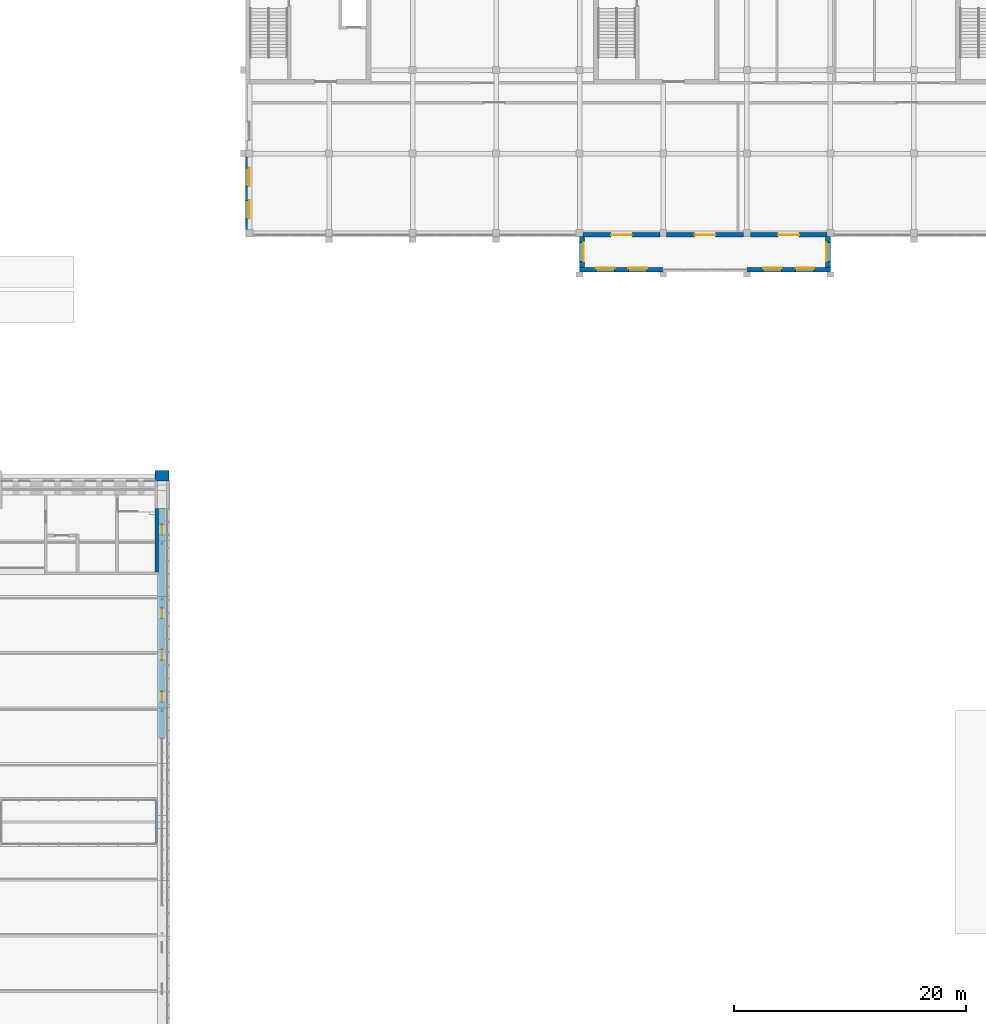
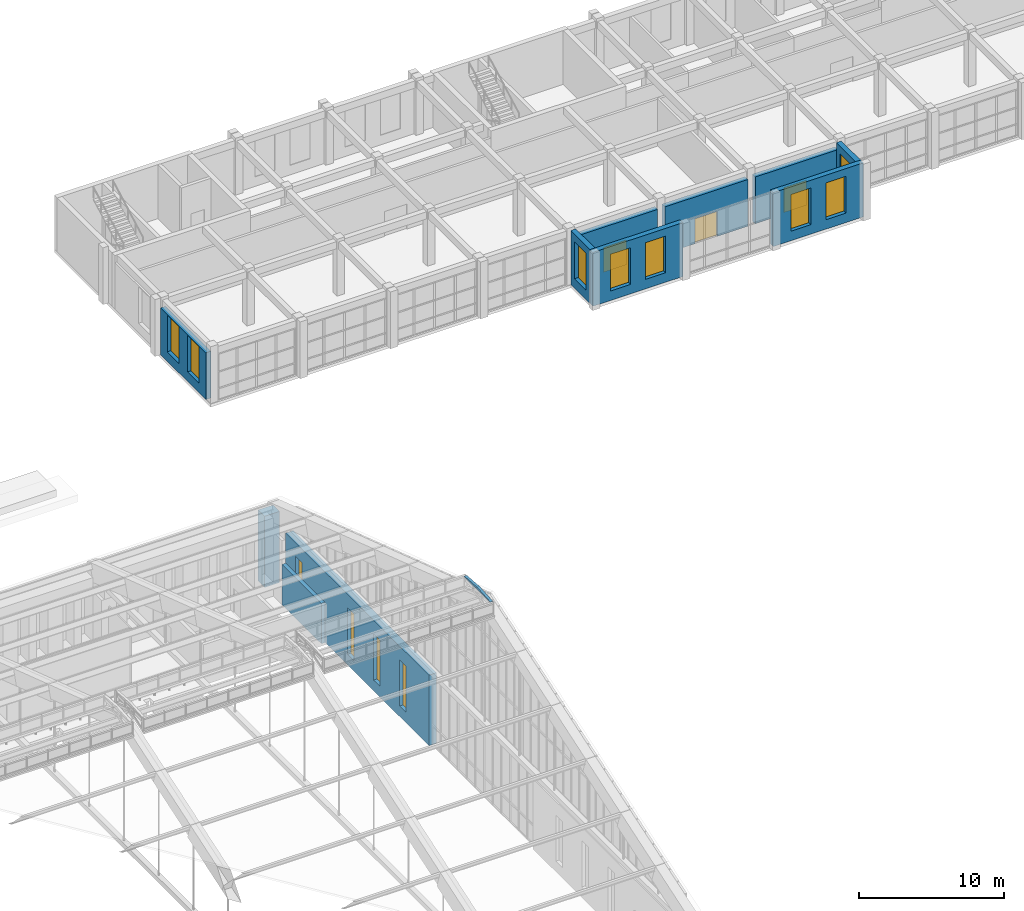
# One storey, part 140 of 149: 12 walls, 12 windows, 3 doors, 15 openings, 1 element without a shape of its own.
"""IFC4 building model written with IfcOpenShell, lengths in metres."""

from ifc_helpers import new_model, si_unit, direction, frame, frame_2d, origin, place, context, subcontext, project, spatial, polyline, rectangle, outline, extrude, material, layer, layer_set, type_object, element, fill, aggregate, save


model = new_model("IFC4")

# Units and contexts
model_context = context("Model", 3, precision=1e-05, world=origin(), true_north=direction((0.0, 1.0)))
body_context = subcontext(model_context, "Body", "Model", "MODEL_VIEW")
ifc_project = project(units=[si_unit("LENGTHUNIT", "METRE"), si_unit("AREAUNIT", "SQUARE_METRE"), si_unit("VOLUMEUNIT", "CUBIC_METRE"), si_unit("PLANEANGLEUNIT", "RADIAN"), si_unit("MASSUNIT", "GRAM", prefix="KILO")], contexts=[model_context])

# Site, building, storey
site_placement = place(None, origin())
site = spatial("IfcSite", under=ifc_project, at=site_placement, CompositionType="ELEMENT")
building_placement = place(site_placement, origin())
building = spatial("IfcBuilding", under=site, at=building_placement, Name="Alderwick Market Hall", CompositionType="ELEMENT")
storey_placement = place(building_placement, frame((0.0, 0.0, 9.60009765625)))
storey = spatial("IfcBuildingStorey", under=building, at=storey_placement, Name="L01", CompositionType="ELEMENT", Elevation=9.60009765625)

# Wall, opening, door
ifc_material_1 = material(Name="Face brick", Category="masonry")
ifc_layer_1 = layer(ifc_material_1, 0.39990234375)
ifc_layer_set_1 = layer_set([ifc_layer_1], Name="Face brick")
wall_type_1 = type_object("IfcWallType", Name="F Brick Pier Wall 400", PredefinedType="SOLIDWALL", material=ifc_layer_set_1)
wall_1_placement = place(storey_placement, frame((194.10009765625, 129.800048828125, 0.0), z_axis=(0.0, 0.0, 1.0), x_axis=(-1.0, 0.0, 0.0)))
wall_1 = element("IfcWall", 1, at=wall_1_placement, inside=storey, type_object=wall_type_1, Name="F.wall.L01.fac.front.05", PredefinedType="SOLIDWALL", context=body_context, shape_type="SweptSolid", body=[
    extrude(rectangle(XDim=6.60009765625, YDim=0.39990234375, at=frame_2d((3.300048828125, 0.0))), origin(), (0.0, 0.0, 1.0), 3.949951171875),
])
opening_1_placement = place(wall_1_placement, frame((2.39990234375, 0.0, 0.0)))
opening_1 = element("IfcOpeningElement", 2, at=opening_1_placement, cuts=wall_1, Name="Opening F-D008", PredefinedType="OPENING", context=body_context, shape_type="SweptSolid", body=[
    extrude(rectangle(XDim=1.800048828125, YDim=2.10009765625, at=frame_2d((0.89990234375, 1.050048828125))), frame((0.0, 0.2099609375, 0.0), z_axis=(0.0, -1.0, 0.0), x_axis=(1.0, 0.0, 0.0)), (0.0, 0.0, 1.0), 0.419921875),
])
ifc_material_2 = material(Name="Timber, solid core", Category="wood")
door_type = type_object("IfcDoorType", Name="F Door Pair 1800x2100", OperationType="NOTDEFINED", PredefinedType="DOOR", material=ifc_material_2)
door_1_placement = place(opening_1_placement, origin())
door_1 = element("IfcDoor", 3, at=door_1_placement, inside=storey, type_object=door_type, Name="F.door.L01.008", OperationType="NOTDEFINED", OverallHeight=2.10009765625, OverallWidth=1.800048828125, PredefinedType="DOOR", context=body_context, shape_type="SweptSolid", body=[
    extrude(rectangle(XDim=1.800048828125, YDim=2.10009765625, at=frame_2d((0.89990234375, 1.050048828125))), frame((0.0, 0.02490234375, 0.0), z_axis=(0.0, -1.0, 0.0), x_axis=(1.0, 0.0, 0.0)), (0.0, 0.0, 1.0), 0.050048828125),
])
fill(opening_1, door_1)

wall_2_placement = place(storey_placement, frame((201.300048828125, 129.800048828125, 0.0), z_axis=(0.0, 0.0, 1.0), x_axis=(-1.0, 0.0, 0.0)))
wall_2 = element("IfcWall", 4, at=wall_2_placement, inside=storey, type_object=wall_type_1, Name="F.wall.L01.fac.front.06", PredefinedType="SOLIDWALL", context=body_context, shape_type="SweptSolid", body=[
    extrude(rectangle(XDim=6.60009765625, YDim=0.39990234375, at=frame_2d((3.300048828125, 0.0))), origin(), (0.0, 0.0, 1.0), 3.949951171875),
])
opening_2_placement = place(wall_2_placement, frame((2.39990234375, 0.0, 0.0)))
opening_2 = element("IfcOpeningElement", 5, at=opening_2_placement, cuts=wall_2, Name="Opening F-D009", PredefinedType="OPENING", context=body_context, shape_type="SweptSolid", body=[
    extrude(rectangle(XDim=1.800048828125, YDim=2.10009765625, at=frame_2d((0.89990234375, 1.050048828125))), frame((0.0, 0.2099609375, 0.0), z_axis=(0.0, -1.0, 0.0), x_axis=(1.0, 0.0, 0.0)), (0.0, 0.0, 1.0), 0.419921875),
])
door_2_placement = place(opening_2_placement, origin())
door_2 = element("IfcDoor", 6, at=door_2_placement, inside=storey, type_object=door_type, Name="F.door.L01.009", OperationType="NOTDEFINED", OverallHeight=2.10009765625, OverallWidth=1.800048828125, PredefinedType="DOOR", context=body_context, shape_type="SweptSolid", body=[
    extrude(rectangle(XDim=1.800048828125, YDim=2.10009765625, at=frame_2d((0.89990234375, 1.050048828125))), frame((0.0, 0.02490234375, 0.0), z_axis=(0.0, -1.0, 0.0), x_axis=(1.0, 0.0, 0.0)), (0.0, 0.0, 1.0), 0.050048828125),
])
fill(opening_2, door_2)

wall_3_placement = place(storey_placement, frame((208.5, 129.800048828125, 0.0), z_axis=(0.0, 0.0, 1.0), x_axis=(-1.0, 0.0, 0.0)))
wall_3 = element("IfcWall", 7, at=wall_3_placement, inside=storey, type_object=wall_type_1, Name="F.wall.L01.fac.front.07", PredefinedType="SOLIDWALL", context=body_context, shape_type="SweptSolid", body=[
    extrude(rectangle(XDim=6.60009765625, YDim=0.39990234375, at=frame_2d((3.300048828125, 0.0))), origin(), (0.0, 0.0, 1.0), 3.949951171875),
])
opening_3_placement = place(wall_3_placement, frame((2.39990234375, 0.0, 0.0)))
opening_3 = element("IfcOpeningElement", 8, at=opening_3_placement, cuts=wall_3, Name="Opening F-D010", PredefinedType="OPENING", context=body_context, shape_type="SweptSolid", body=[
    extrude(rectangle(XDim=1.800048828125, YDim=2.10009765625, at=frame_2d((0.89990234375, 1.050048828125))), frame((0.0, 0.2099609375, 0.0), z_axis=(0.0, -1.0, 0.0), x_axis=(1.0, 0.0, 0.0)), (0.0, 0.0, 1.0), 0.419921875),
])
door_3_placement = place(opening_3_placement, origin())
door_3 = element("IfcDoor", 9, at=door_3_placement, inside=storey, type_object=door_type, Name="F.door.L01.010", OperationType="NOTDEFINED", OverallHeight=2.10009765625, OverallWidth=1.800048828125, PredefinedType="DOOR", context=body_context, shape_type="SweptSolid", body=[
    extrude(rectangle(XDim=1.800048828125, YDim=2.10009765625, at=frame_2d((0.89990234375, 1.050048828125))), frame((0.0, 0.02490234375, 0.0), z_axis=(0.0, -1.0, 0.0), x_axis=(1.0, 0.0, 0.0)), (0.0, 0.0, 1.0), 0.050048828125),
])
fill(opening_3, door_3)

# Wall, openings, windows
wall_4_placement = place(storey_placement, frame((194.39990234375, 126.800048828125, 0.0), z_axis=(0.0, 0.0, 1.0), x_axis=(-1.0, 0.0, 0.0)))
wall_4 = element("IfcWall", 10, at=wall_4_placement, inside=storey, type_object=wall_type_1, Name="F.wall.L01.pav1.front.01", PredefinedType="SOLIDWALL", context=body_context, shape_type="SweptSolid", body=[
    extrude(rectangle(XDim=7.199951171875, YDim=0.39990234375, at=frame_2d((3.60009765625, 0.0))), origin(), (0.0, 0.0, 1.0), 4.5498046875),
])
opening_4_placement = place(wall_4_placement, frame((1.39990234375, 0.0, 0.800048828125)))
opening_4 = element("IfcOpeningElement", 11, at=opening_4_placement, cuts=wall_4, Name="Opening F-W066", PredefinedType="OPENING", context=body_context, shape_type="SweptSolid", body=[
    extrude(rectangle(XDim=1.60009765625, YDim=3.10009765625, at=frame_2d((0.800048828125, 1.550048828125))), frame((0.0, 0.2099609375, 0.0), z_axis=(0.0, -1.0, 0.0), x_axis=(1.0, 0.0, 0.0)), (0.0, 0.0, 1.0), 0.419921875),
])
opening_5_placement = place(wall_4_placement, frame((4.199951171875, 0.0, 0.800048828125)))
opening_5 = element("IfcOpeningElement", 12, at=opening_5_placement, cuts=wall_4, Name="Opening F-W067", PredefinedType="OPENING", context=body_context, shape_type="SweptSolid", body=[
    extrude(rectangle(XDim=1.60009765625, YDim=3.10009765625, at=frame_2d((0.800048828125, 1.550048828125))), frame((0.0, 0.2099609375, 0.0), z_axis=(0.0, -1.0, 0.0), x_axis=(1.0, 0.0, 0.0)), (0.0, 0.0, 1.0), 0.419921875),
])
ifc_material_3 = material(Name="Aluminium frame, double glazing", Category="aluminium")
window_type_1 = type_object("IfcWindowType", Name="F Piano Nobile Window 1600x3100", PartitioningType="SINGLE_PANEL", PredefinedType="WINDOW", material=ifc_material_3)
window_1_placement = place(opening_4_placement, origin())
window_1 = element("IfcWindow", 13, at=window_1_placement, inside=storey, type_object=window_type_1, Name="F.win.L01.066", OverallHeight=3.10009765625, OverallWidth=1.60009765625, PartitioningType="SINGLE_PANEL", PredefinedType="WINDOW", context=body_context, shape_type="SweptSolid", body=[
    extrude(rectangle(XDim=1.60009765625, YDim=3.10009765625, at=frame_2d((0.800048828125, 1.550048828125))), frame((0.0, -0.090087890625, 0.0), z_axis=(0.0, -1.0, 0.0), x_axis=(1.0, 0.0, 0.0)), (0.0, 0.0, 1.0), 0.06005859375),
])
fill(opening_4, window_1)
window_2_placement = place(opening_5_placement, origin())
window_2 = element("IfcWindow", 14, at=window_2_placement, inside=storey, type_object=window_type_1, Name="F.win.L01.067", OverallHeight=3.10009765625, OverallWidth=1.60009765625, PartitioningType="SINGLE_PANEL", PredefinedType="WINDOW", context=body_context, shape_type="SweptSolid", body=[
    extrude(rectangle(XDim=1.60009765625, YDim=3.10009765625, at=frame_2d((0.800048828125, 1.550048828125))), frame((0.0, -0.090087890625, 0.0), z_axis=(0.0, -1.0, 0.0), x_axis=(1.0, 0.0, 0.0)), (0.0, 0.0, 1.0), 0.06005859375),
])
fill(opening_5, window_2)

wall_5_placement = place(storey_placement, frame((208.800048828125, 126.800048828125, 0.0), z_axis=(0.0, 0.0, 1.0), x_axis=(-1.0, 0.0, 0.0)))
wall_5 = element("IfcWall", 15, at=wall_5_placement, inside=storey, type_object=wall_type_1, Name="F.wall.L01.pav1.front.02", PredefinedType="SOLIDWALL", context=body_context, shape_type="SweptSolid", body=[
    extrude(rectangle(XDim=7.199951171875, YDim=0.39990234375, at=frame_2d((3.60009765625, 0.0))), origin(), (0.0, 0.0, 1.0), 4.5498046875),
])
opening_6_placement = place(wall_5_placement, frame((1.39990234375, 0.0, 0.800048828125)))
opening_6 = element("IfcOpeningElement", 16, at=opening_6_placement, cuts=wall_5, Name="Opening F-W068", PredefinedType="OPENING", context=body_context, shape_type="SweptSolid", body=[
    extrude(rectangle(XDim=1.60009765625, YDim=3.10009765625, at=frame_2d((0.800048828125, 1.550048828125))), frame((0.0, 0.2099609375, 0.0), z_axis=(0.0, -1.0, 0.0), x_axis=(1.0, 0.0, 0.0)), (0.0, 0.0, 1.0), 0.419921875),
])
opening_7_placement = place(wall_5_placement, frame((4.199951171875, 0.0, 0.800048828125)))
opening_7 = element("IfcOpeningElement", 17, at=opening_7_placement, cuts=wall_5, Name="Opening F-W069", PredefinedType="OPENING", context=body_context, shape_type="SweptSolid", body=[
    extrude(rectangle(XDim=1.60009765625, YDim=3.10009765625, at=frame_2d((0.800048828125, 1.550048828125))), frame((0.0, 0.2099609375, 0.0), z_axis=(0.0, -1.0, 0.0), x_axis=(1.0, 0.0, 0.0)), (0.0, 0.0, 1.0), 0.419921875),
])
window_3_placement = place(opening_6_placement, origin())
window_3 = element("IfcWindow", 18, at=window_3_placement, inside=storey, type_object=window_type_1, Name="F.win.L01.068", OverallHeight=3.10009765625, OverallWidth=1.60009765625, PartitioningType="SINGLE_PANEL", PredefinedType="WINDOW", context=body_context, shape_type="SweptSolid", body=[
    extrude(rectangle(XDim=1.60009765625, YDim=3.10009765625, at=frame_2d((0.800048828125, 1.550048828125))), frame((0.0, -0.090087890625, 0.0), z_axis=(0.0, -1.0, 0.0), x_axis=(1.0, 0.0, 0.0)), (0.0, 0.0, 1.0), 0.06005859375),
])
fill(opening_6, window_3)
window_4_placement = place(opening_7_placement, origin())
window_4 = element("IfcWindow", 19, at=window_4_placement, inside=storey, type_object=window_type_1, Name="F.win.L01.069", OverallHeight=3.10009765625, OverallWidth=1.60009765625, PartitioningType="SINGLE_PANEL", PredefinedType="WINDOW", context=body_context, shape_type="SweptSolid", body=[
    extrude(rectangle(XDim=1.60009765625, YDim=3.10009765625, at=frame_2d((0.800048828125, 1.550048828125))), frame((0.0, -0.090087890625, 0.0), z_axis=(0.0, -1.0, 0.0), x_axis=(1.0, 0.0, 0.0)), (0.0, 0.0, 1.0), 0.06005859375),
])
fill(opening_7, window_4)

# Wall, opening, window
wall_6_placement = place(storey_placement, frame((187.39990234375, 127.0, 0.0), z_axis=(0.0, 0.0, 1.0), x_axis=(0.0, 1.0, 0.0)))
wall_6 = element("IfcWall", 20, at=wall_6_placement, inside=storey, type_object=wall_type_1, Name="F.wall.L01.pav1.west.01", PredefinedType="SOLIDWALL", context=body_context, shape_type="SweptSolid", body=[
    extrude(rectangle(XDim=2.64990234375, YDim=0.39990234375, at=frame_2d((1.324951171875, 0.0))), origin(), (0.0, 0.0, 1.0), 4.5498046875),
])
opening_8_placement = place(wall_6_placement, frame((0.52490234375, 0.0, 0.800048828125)))
opening_8 = element("IfcOpeningElement", 21, at=opening_8_placement, cuts=wall_6, Name="Opening F-W070", PredefinedType="OPENING", context=body_context, shape_type="SweptSolid", body=[
    extrude(rectangle(XDim=1.60009765625, YDim=3.10009765625, at=frame_2d((0.800048828125, 1.550048828125))), frame((0.0, 0.2099609375, 0.0), z_axis=(0.0, -1.0, 0.0), x_axis=(1.0, 0.0, 0.0)), (0.0, 0.0, 1.0), 0.419921875),
])
window_5_placement = place(opening_8_placement, origin())
window_5 = element("IfcWindow", 22, at=window_5_placement, inside=storey, type_object=window_type_1, Name="F.win.L01.070", OverallHeight=3.10009765625, OverallWidth=1.60009765625, PartitioningType="SINGLE_PANEL", PredefinedType="WINDOW", context=body_context, shape_type="SweptSolid", body=[
    extrude(rectangle(XDim=1.60009765625, YDim=3.10009765625, at=frame_2d((0.800048828125, 1.550048828125))), frame((0.0, -0.090087890625, 0.0), z_axis=(0.0, -1.0, 0.0), x_axis=(1.0, 0.0, 0.0)), (0.0, 0.0, 1.0), 0.06005859375),
])
fill(opening_8, window_5)

wall_7_placement = place(storey_placement, frame((208.60009765625, 129.64990234375, 0.0), z_axis=(0.0, 0.0, 1.0), x_axis=(0.0, -1.0, 0.0)))
wall_7 = element("IfcWall", 23, at=wall_7_placement, inside=storey, type_object=wall_type_1, Name="F.wall.L01.pav1.east.01", PredefinedType="SOLIDWALL", context=body_context, shape_type="SweptSolid", body=[
    extrude(rectangle(XDim=2.64990234375, YDim=0.39990234375, at=frame_2d((1.324951171875, 0.0))), origin(), (0.0, 0.0, 1.0), 4.5498046875),
])
opening_9_placement = place(wall_7_placement, frame((0.52490234375, 0.0, 0.800048828125)))
opening_9 = element("IfcOpeningElement", 24, at=opening_9_placement, cuts=wall_7, Name="Opening F-W071", PredefinedType="OPENING", context=body_context, shape_type="SweptSolid", body=[
    extrude(rectangle(XDim=1.60009765625, YDim=3.10009765625, at=frame_2d((0.800048828125, 1.550048828125))), frame((0.0, 0.2099609375, 0.0), z_axis=(0.0, -1.0, 0.0), x_axis=(1.0, 0.0, 0.0)), (0.0, 0.0, 1.0), 0.419921875),
])
window_6_placement = place(opening_9_placement, origin())
window_6 = element("IfcWindow", 25, at=window_6_placement, inside=storey, type_object=window_type_1, Name="F.win.L01.071", OverallHeight=3.10009765625, OverallWidth=1.60009765625, PartitioningType="SINGLE_PANEL", PredefinedType="WINDOW", context=body_context, shape_type="SweptSolid", body=[
    extrude(rectangle(XDim=1.60009765625, YDim=3.10009765625, at=frame_2d((0.800048828125, 1.550048828125))), frame((0.0, -0.090087890625, 0.0), z_axis=(0.0, -1.0, 0.0), x_axis=(1.0, 0.0, 0.0)), (0.0, 0.0, 1.0), 0.06005859375),
])
fill(opening_9, window_6)

# Wall, openings, windows
ifc_material_4 = material(Name="Concrete 5000 psi (f'c 35 MPa)", Category="concrete")
ifc_layer_2 = layer(ifc_material_4, 0.39990234375)
ifc_layer_set_2 = layer_set([ifc_layer_2], Name="Concrete 5000 psi (f'c 35 MPa)")
wall_type_2 = type_object("IfcWallType", Name="F End Shear Wall Concrete 5000 psi 400", PredefinedType="SHEAR", material=ifc_layer_set_2)
wall_8_placement = place(storey_placement, frame((158.60009765625, 130.25, 0.0), z_axis=(0.0, 0.0, 1.0), x_axis=(0.0, 1.0, 0.0)))
wall_8 = element("IfcWall", 26, at=wall_8_placement, inside=storey, type_object=wall_type_2, Name="F.wall.L01.fac.west.01", PredefinedType="SHEAR", context=body_context, shape_type="SweptSolid", body=[
    extrude(rectangle(XDim=6.25, YDim=0.39990234375, at=frame_2d((3.125, 0.0))), origin(), (0.0, 0.0, 1.0), 3.949951171875),
])
opening_10_placement = place(wall_8_placement, frame((0.925048828125, 0.0, 0.800048828125)))
opening_10 = element("IfcOpeningElement", 27, at=opening_10_placement, cuts=wall_8, Name="Opening F-W020", PredefinedType="OPENING", context=body_context, shape_type="SweptSolid", body=[
    extrude(rectangle(XDim=1.60009765625, YDim=3.10009765625, at=frame_2d((0.800048828125, 1.550048828125))), frame((0.0, 0.2099609375, 0.0), z_axis=(0.0, -1.0, 0.0), x_axis=(1.0, 0.0, 0.0)), (0.0, 0.0, 1.0), 0.419921875),
])
opening_11_placement = place(wall_8_placement, frame((3.72509765625, 0.0, 0.800048828125)))
opening_11 = element("IfcOpeningElement", 28, at=opening_11_placement, cuts=wall_8, Name="Opening F-W021", PredefinedType="OPENING", context=body_context, shape_type="SweptSolid", body=[
    extrude(rectangle(XDim=1.60009765625, YDim=3.10009765625, at=frame_2d((0.800048828125, 1.550048828125))), frame((0.0, 0.2099609375, 0.0), z_axis=(0.0, -1.0, 0.0), x_axis=(1.0, 0.0, 0.0)), (0.0, 0.0, 1.0), 0.419921875),
])
window_7_placement = place(opening_10_placement, origin())
window_7 = element("IfcWindow", 29, at=window_7_placement, inside=storey, type_object=window_type_1, Name="F.win.L01.020", OverallHeight=3.10009765625, OverallWidth=1.60009765625, PartitioningType="SINGLE_PANEL", PredefinedType="WINDOW", context=body_context, shape_type="SweptSolid", body=[
    extrude(rectangle(XDim=1.60009765625, YDim=3.10009765625, at=frame_2d((0.800048828125, 1.550048828125))), frame((0.0, -0.090087890625, 0.0), z_axis=(0.0, -1.0, 0.0), x_axis=(1.0, 0.0, 0.0)), (0.0, 0.0, 1.0), 0.06005859375),
])
fill(opening_10, window_7)
window_8_placement = place(opening_11_placement, origin())
window_8 = element("IfcWindow", 30, at=window_8_placement, inside=storey, type_object=window_type_1, Name="F.win.L01.021", OverallHeight=3.10009765625, OverallWidth=1.60009765625, PartitioningType="SINGLE_PANEL", PredefinedType="WINDOW", context=body_context, shape_type="SweptSolid", body=[
    extrude(rectangle(XDim=1.60009765625, YDim=3.10009765625, at=frame_2d((0.800048828125, 1.550048828125))), frame((0.0, -0.090087890625, 0.0), z_axis=(0.0, -1.0, 0.0), x_axis=(1.0, 0.0, 0.0)), (0.0, 0.0, 1.0), 0.06005859375),
])
fill(opening_11, window_8)

# Walls
ifc_material_5 = material(Name="Face brick masonry, ASTM C216 grade SW (f'm 17 MPa)", Category="masonry")
ifc_layer_3 = layer(ifc_material_5, 0.89990234375)
ifc_layer_set_3 = layer_set([ifc_layer_3], Name="Face brick masonry, ASTM C216 grade SW (f'm 17 MPa)")
wall_type_3 = type_object("IfcWallType", Name="H Buttress pier 900", PredefinedType="SOLIDWALL", material=ifc_layer_set_3)
wall_9_placement = place(storey_placement, frame((150.60009765625, 109.050048828125, 0.0), z_axis=(0.0, 0.0, 1.0), x_axis=(1.0, 0.0, 0.0)))
element("IfcWall", 31, at=wall_9_placement, inside=storey, type_object=wall_type_3, Name="Buttress pier N8", PredefinedType="SOLIDWALL", context=body_context, shape_type="SweptSolid", body=[
    extrude(rectangle(XDim=1.199951171875, YDim=0.89990234375, at=frame_2d((0.60009765625, 0.0))), origin(), (0.0, 0.0, 1.0), 6.0),
])
ifc_layer_4 = layer(ifc_material_4, 0.300048828125)
ifc_layer_set_4 = layer_set([ifc_layer_4], Name="Concrete 5000 psi (f'c 35 MPa)")
wall_type_4 = type_object("IfcWallType", Name="H Stair furring wall 300", PredefinedType="SOLIDWALL", material=ifc_layer_set_4)
wall_10_placement = place(storey_placement, frame((150.75, 100.760009765625, 0.0), z_axis=(0.0, 0.0, 1.0), x_axis=(0.0, 1.0, 0.0)))
element("IfcWall", 32, at=wall_10_placement, inside=storey, type_object=wall_type_4, Name="Core wall H-NE", PredefinedType="SOLIDWALL", context=body_context, shape_type="SweptSolid", body=[
    extrude(rectangle(XDim=5.43994140625, YDim=0.300048828125, at=frame_2d((2.719970703125, 0.0))), origin(), (0.0, 0.0, 1.0), 3.39990234375),
])

# Wall, openings, windows
ifc_layer_5 = layer(ifc_material_4, 0.60009765625)
ifc_layer_set_5 = layer_set([ifc_layer_5], Name="Concrete 5000 psi (f'c 35 MPa)")
wall_type_5 = type_object("IfcWallType", Name="R Gable Wall 600", PredefinedType="SOLIDWALL", material=ifc_layer_set_5)
wall_11_placement = place(storey_placement, frame((151.199951171875, 86.39990234375, 0.0), z_axis=(0.0, 0.0, 1.0), x_axis=(0.0, 1.0, 0.0)))
wall_11 = element("IfcWall", 33, at=wall_11_placement, inside=storey, type_object=wall_type_5, Name="East gable wall N L01", PredefinedType="SOLIDWALL", context=body_context, shape_type="SweptSolid", body=[
    extrude(rectangle(XDim=19.800048828125, YDim=0.60009765625, at=frame_2d((9.89990234375, 0.0))), origin(), (0.0, 0.0, 1.0), 5.94677734375),
])
opening_12_placement = place(wall_11_placement, frame((3.14990234375, 0.0, 0.89990234375)))
opening_12 = element("IfcOpeningElement", 34, at=opening_12_placement, cuts=wall_11, Name="Opening R-W067", PredefinedType="OPENING", context=body_context, shape_type="SweptSolid", body=[
    extrude(rectangle(XDim=0.89990234375, YDim=3.89990234375, at=frame_2d((0.449951171875, 1.949951171875))), frame((0.0, 0.31005859375, 0.0), z_axis=(0.0, -1.0, 0.0), x_axis=(1.0, 0.0, 0.0)), (0.0, 0.0, 1.0), 0.6201171875),
])
opening_13_placement = place(wall_11_placement, frame((6.75, 0.0, 0.89990234375)))
opening_13 = element("IfcOpeningElement", 35, at=opening_13_placement, cuts=wall_11, Name="Opening R-W068", PredefinedType="OPENING", context=body_context, shape_type="SweptSolid", body=[
    extrude(rectangle(XDim=0.89990234375, YDim=3.89990234375, at=frame_2d((0.449951171875, 1.949951171875))), frame((0.0, 0.31005859375, 0.0), z_axis=(0.0, -1.0, 0.0), x_axis=(1.0, 0.0, 0.0)), (0.0, 0.0, 1.0), 0.6201171875),
])
opening_14_placement = place(wall_11_placement, frame((10.35009765625, 0.0, 0.89990234375)))
opening_14 = element("IfcOpeningElement", 36, at=opening_14_placement, cuts=wall_11, Name="Opening R-W069", PredefinedType="OPENING", context=body_context, shape_type="SweptSolid", body=[
    extrude(rectangle(XDim=0.89990234375, YDim=3.89990234375, at=frame_2d((0.449951171875, 1.949951171875))), frame((0.0, 0.31005859375, 0.0), z_axis=(0.0, -1.0, 0.0), x_axis=(1.0, 0.0, 0.0)), (0.0, 0.0, 1.0), 0.6201171875),
])
opening_15_placement = place(wall_11_placement, frame((17.550048828125, 0.0, 0.89990234375)))
opening_15 = element("IfcOpeningElement", 37, at=opening_15_placement, cuts=wall_11, Name="Opening R-W070", PredefinedType="OPENING", context=body_context, shape_type="SweptSolid", body=[
    extrude(rectangle(XDim=0.89990234375, YDim=3.89990234375, at=frame_2d((0.449951171875, 1.949951171875))), frame((0.0, 0.31005859375, 0.0), z_axis=(0.0, -1.0, 0.0), x_axis=(1.0, 0.0, 0.0)), (0.0, 0.0, 1.0), 0.6201171875),
])
ifc_material_6 = material(Name="Aluminium", Category="aluminium")
window_type_2 = type_object("IfcWindowType", Name="R Gable Window 900x3900", PartitioningType="SINGLE_PANEL", PredefinedType="WINDOW", material=ifc_material_6)
window_9_placement = place(opening_12_placement, origin())
window_9 = element("IfcWindow", 38, at=window_9_placement, inside=storey, type_object=window_type_2, Name="Gable window R-W067", OverallHeight=3.89990234375, OverallWidth=0.89990234375, PartitioningType="SINGLE_PANEL", PredefinedType="WINDOW", context=body_context, shape_type="SweptSolid", body=[
    extrude(rectangle(XDim=0.89990234375, YDim=3.89990234375, at=frame_2d((0.449951171875, 1.949951171875))), frame((0.0, 0.030029296875, 0.0), z_axis=(0.0, -1.0, 0.0), x_axis=(1.0, 0.0, 0.0)), (0.0, 0.0, 1.0), 0.06005859375),
])
fill(opening_12, window_9)
window_10_placement = place(opening_13_placement, origin())
window_10 = element("IfcWindow", 39, at=window_10_placement, inside=storey, type_object=window_type_2, Name="Gable window R-W068", OverallHeight=3.89990234375, OverallWidth=0.89990234375, PartitioningType="SINGLE_PANEL", PredefinedType="WINDOW", context=body_context, shape_type="SweptSolid", body=[
    extrude(rectangle(XDim=0.89990234375, YDim=3.89990234375, at=frame_2d((0.449951171875, 1.949951171875))), frame((0.0, 0.030029296875, 0.0), z_axis=(0.0, -1.0, 0.0), x_axis=(1.0, 0.0, 0.0)), (0.0, 0.0, 1.0), 0.06005859375),
])
fill(opening_13, window_10)
window_11_placement = place(opening_14_placement, origin())
window_11 = element("IfcWindow", 40, at=window_11_placement, inside=storey, type_object=window_type_2, Name="Gable window R-W069", OverallHeight=3.89990234375, OverallWidth=0.89990234375, PartitioningType="SINGLE_PANEL", PredefinedType="WINDOW", context=body_context, shape_type="SweptSolid", body=[
    extrude(rectangle(XDim=0.89990234375, YDim=3.89990234375, at=frame_2d((0.449951171875, 1.949951171875))), frame((0.0, 0.030029296875, 0.0), z_axis=(0.0, -1.0, 0.0), x_axis=(1.0, 0.0, 0.0)), (0.0, 0.0, 1.0), 0.06005859375),
])
fill(opening_14, window_11)
window_12_placement = place(opening_15_placement, origin())
window_12 = element("IfcWindow", 41, at=window_12_placement, inside=storey, type_object=window_type_2, Name="Gable window R-W070", OverallHeight=3.89990234375, OverallWidth=0.89990234375, PartitioningType="SINGLE_PANEL", PredefinedType="WINDOW", context=body_context, shape_type="SweptSolid", body=[
    extrude(rectangle(XDim=0.89990234375, YDim=3.89990234375, at=frame_2d((0.449951171875, 1.949951171875))), frame((0.0, 0.030029296875, 0.0), z_axis=(0.0, -1.0, 0.0), x_axis=(1.0, 0.0, 0.0)), (0.0, 0.0, 1.0), 0.06005859375),
])
fill(opening_15, window_12)

# Curtain wall, wall
curtain_wall_type = type_object("IfcCurtainWallType", Name="R Curtain Wall Frame", PredefinedType="NOTDEFINED", material=ifc_material_6)
curtain_wall_placement = place(storey_placement, origin())
curtain_wall = element("IfcCurtainWall", 42, at=curtain_wall_placement, inside=storey, type_object=curtain_wall_type, Name="Curtain wall LCW E7", PredefinedType="NOTDEFINED")
ifc_layer_6 = layer(ifc_material_6, 0.199951171875)
ifc_layer_set_6 = layer_set([ifc_layer_6], Name="Aluminium")
wall_type_6 = type_object("IfcWallType", Name="R Lantern Gable Infill 200", PredefinedType="SOLIDWALL", material=ifc_layer_set_6)
wall_12_placement = place(storey_placement, frame((150.699951171875, 77.39990234375, 17.639892578125), z_axis=(0.0, 0.0, 1.0), x_axis=(0.0, 1.0, 0.0)))
wall_12 = element("IfcWall", 43, at=wall_12_placement, type_object=wall_type_6, Name="Lantern gable infill E7", PredefinedType="SOLIDWALL", context=body_context, shape_type="SweptSolid", body=[
    extrude(outline(polyline([(0.0, 0.0), (3.60009765625, 0.0), (3.60009765625, 0.06005859375), (1.800048828125, 0.197998046875), (0.0, 0.06005859375), (0.0, 0.0)])), frame((0.0, 0.10009765625, 0.0), z_axis=(0.0, -1.0, 0.0), x_axis=(1.0, 0.0, 0.0)), (0.0, 0.0, 1.0), 0.199951171875),
])
aggregate(curtain_wall, [wall_12])

save(model, "model.ifc")
